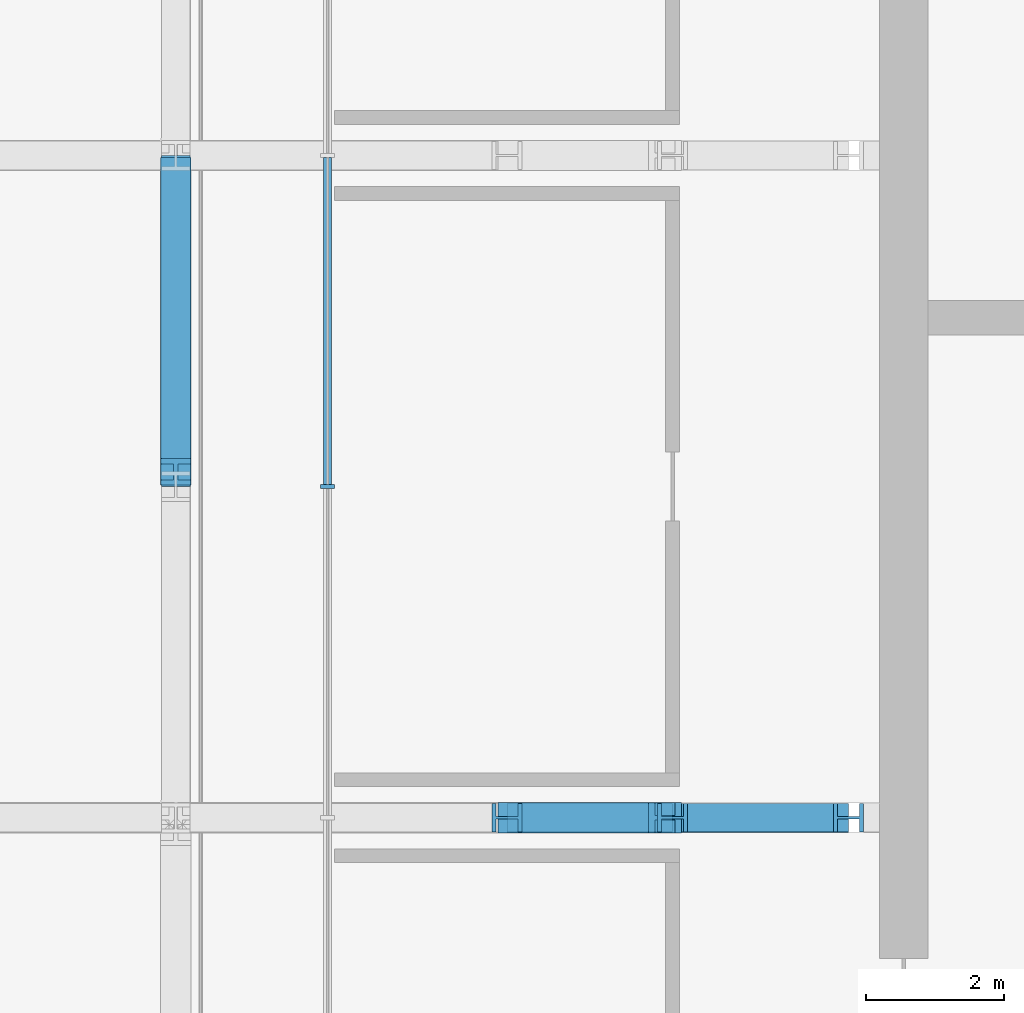
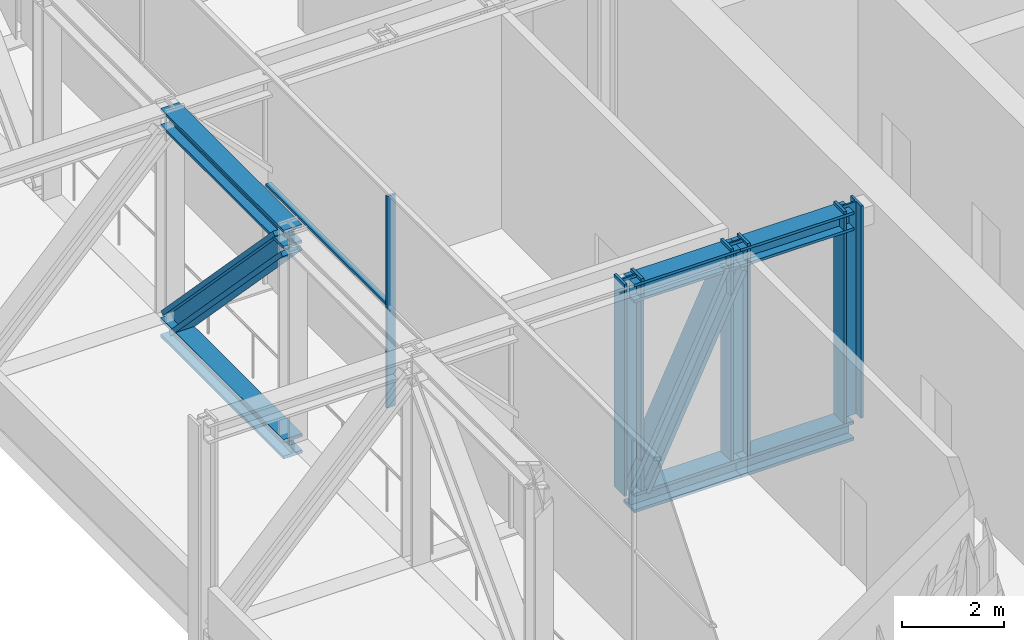
# One storey, part 5 of 30: 13 members, 1 element without a shape of its own.
"""IFC4 building model written with IfcOpenShell, lengths in metres."""

from ifc_helpers import new_model, si_unit, direction, frame, origin, origin_2d, place, context, subcontext, project, spatial, rectangle, i_section, extrude, material, layer, layer_set, material_profile, profile_set, type_object, element, aggregate, save


model = new_model("IFC4")

# Units and contexts
model_context = context("Model", 3, precision=1e-05, world=origin(), true_north=direction((0.0, 1.0)))
body_context = subcontext(model_context, "Body", "Model", "MODEL_VIEW")
ifc_project = project(units=[si_unit("LENGTHUNIT", "METRE"), si_unit("AREAUNIT", "SQUARE_METRE"), si_unit("VOLUMEUNIT", "CUBIC_METRE"), si_unit("PLANEANGLEUNIT", "RADIAN"), si_unit("MASSUNIT", "GRAM", prefix="KILO")], contexts=[model_context])

# Site, building, storey
site_placement = place(None, origin())
site = spatial("IfcSite", under=ifc_project, at=site_placement, CompositionType="ELEMENT")
building_placement = place(site_placement, origin())
building = spatial("IfcBuilding", under=site, at=building_placement, Name="Madar Terraces", CompositionType="ELEMENT")
storey_placement = place(building_placement, frame((0.0, 0.0, 173.5)))
storey = spatial("IfcBuildingStorey", under=building, at=storey_placement, Name="L45", CompositionType="ELEMENT", Elevation=173.5)

# Members
ifc_material_1 = material(Name="Steel ASTM A913 Grade 65", Category="steel")
ifc_material_profile_1 = material_profile(ifc_material_1, i_section(OverallWidth=0.421630859375, OverallDepth=0.46484375, WebThickness=0.044921875, FlangeThickness=0.072509765625, at=origin_2d()), Name="W14x398")
ifc_profile_set_1 = profile_set([ifc_material_profile_1], Name="Steel ASTM A913 Grade 65")
member_type_1 = type_object("IfcMemberType", Name="BC6 W14x398", PredefinedType="CHORD", material=ifc_profile_set_1)
member_1_placement = place(storey_placement, frame((4.800048828125, 33.60009765625, -0.1875), z_axis=(0.0, -1.0, 0.0), x_axis=(1.0, 0.0, 0.0)))
element("IfcMember", 1, at=member_1_placement, inside=storey, type_object=member_type_1, Name="Exoskeleton truss ring bottom chord BC6", PredefinedType="CHORD", context=body_context, shape_type="SweptSolid", body=[
    extrude(i_section(OverallWidth=0.421630859375, OverallDepth=0.46484375, WebThickness=0.044921875, FlangeThickness=0.072509765625, at=origin_2d()), origin(), (0.0, 0.0, 1.0), 4.800048828125),
])
member_2_placement = place(storey_placement, frame((9.60009765625, 24.0, -0.1875), z_axis=(1.0, 0.0, 0.0), x_axis=(0.0, 1.0, 0.0)))
element("IfcMember", 2, at=member_2_placement, inside=storey, type_object=member_type_1, Name="Exoskeleton truss cross W24 bottom chord BC6", PredefinedType="CHORD", context=body_context, shape_type="SweptSolid", body=[
    extrude(i_section(OverallWidth=0.421630859375, OverallDepth=0.46484375, WebThickness=0.044921875, FlangeThickness=0.072509765625, at=origin_2d()), origin(), (0.0, 0.0, 1.0), 2.39990234375),
])
member_3_placement = place(storey_placement, frame((12.0, 24.0, -0.1875), z_axis=(1.0, 0.0, 0.0), x_axis=(0.0, 1.0, 0.0)))
element("IfcMember", 3, at=member_3_placement, inside=storey, type_object=member_type_1, Name="Exoskeleton truss cross W24 bottom chord BC6", PredefinedType="CHORD", context=body_context, shape_type="SweptSolid", body=[
    extrude(i_section(OverallWidth=0.421630859375, OverallDepth=0.46484375, WebThickness=0.044921875, FlangeThickness=0.072509765625, at=origin_2d()), origin(), (0.0, 0.0, 1.0), 2.550048828125),
])

# Curtain wall, members
ifc_material_2 = material(Name="Glass, ceramic frit dark grey, with black aluminium frame", Category="aluminium")
ifc_layer = layer(ifc_material_2, 0.199951171875)
ifc_layer_set = layer_set([ifc_layer], Name="Facade curtain wall, tall glazing")
curtain_wall_type = type_object("IfcCurtainWallType", Name="Facade curtain wall, tall glazing", PredefinedType="NOTDEFINED", material=ifc_layer_set)
curtain_wall_placement = place(storey_placement, origin())
curtain_wall = element("IfcCurtainWall", 4, at=curtain_wall_placement, inside=storey, type_object=curtain_wall_type, Name="Outer skin curtain wall west bay 1", PredefinedType="NOTDEFINED")
ifc_material_3 = material(Name="Aluminium, black anodised", Category="aluminium")
ifc_material_profile_2 = material_profile(ifc_material_3, rectangle(XDim=0.199951171875, YDim=0.06005859375, at=origin_2d()), Name="Facade mullion 60x200")
ifc_profile_set_2 = profile_set([ifc_material_profile_2], Name="Aluminium, black anodised")
member_type_2 = type_object("IfcMemberType", Name="Facade mullion 60x200", PredefinedType="MULLION", material=ifc_profile_set_2)
member_4_placement = place(storey_placement, frame((7.0, 28.800048828125, 0.0), z_axis=(0.0, 0.0, 1.0), x_axis=(1.0, 0.0, 0.0)))
member_4 = element("IfcMember", 5, at=member_4_placement, type_object=member_type_2, Name="Mullion 3", PredefinedType="MULLION", context=body_context, shape_type="SweptSolid", body=[
    extrude(rectangle(XDim=0.199951171875, YDim=0.06005859375, at=origin_2d()), origin(), (0.0, 0.0, 1.0), 5.0400390625),
])
ifc_material_4 = material(Name="Aluminium, black anodised", Category="aluminium")
ifc_material_profile_3 = material_profile(ifc_material_4, rectangle(XDim=0.1201171875, YDim=0.06005859375, at=origin_2d()), Name="Facade transom 60x120")
ifc_profile_set_3 = profile_set([ifc_material_profile_3], Name="Aluminium, black anodised")
member_type_3 = type_object("IfcMemberType", Name="Facade transom 60x120", PredefinedType="USERDEFINED", material=ifc_profile_set_3)
member_5_placement = place(storey_placement, frame((7.0, 33.570068359375, 2.39990234375), z_axis=(0.0, -1.0, 0.0), x_axis=(1.0, 0.0, 0.0)))
member_5 = element("IfcMember", 6, at=member_5_placement, type_object=member_type_3, Name="Transom 4", ObjectType="TRANSOM", PredefinedType="USERDEFINED", context=body_context, shape_type="SweptSolid", body=[
    extrude(rectangle(XDim=0.1201171875, YDim=0.06005859375, at=origin_2d()), origin(), (0.0, 0.0, 1.0), 4.739990234375),
])
aggregate(curtain_wall, [member_4, member_5])

# Members
ifc_material_5 = material(Name="Steel ASTM A913 Grade 65", Category="steel")
ifc_material_profile_4 = material_profile(ifc_material_5, i_section(OverallWidth=0.41650390625, OverallDepth=0.444580078125, WebThickness=0.0390625, FlangeThickness=0.062744140625, at=origin_2d()), Name="W14x342")
ifc_profile_set_4 = profile_set([ifc_material_profile_4], Name="Steel ASTM A913 Grade 65")
member_type_4 = type_object("IfcMemberType", Name="TC6 W14x342", PredefinedType="CHORD", material=ifc_profile_set_4)
member_6_placement = place(storey_placement, frame((4.800048828125, 33.60009765625, 4.807861328125), z_axis=(0.0, -1.0, 0.0), x_axis=(1.0, 0.0, 0.0)))
element("IfcMember", 7, at=member_6_placement, inside=storey, type_object=member_type_4, Name="Exoskeleton truss ring top chord TC6", PredefinedType="CHORD", context=body_context, shape_type="SweptSolid", body=[
    extrude(i_section(OverallWidth=0.41650390625, OverallDepth=0.444580078125, WebThickness=0.0390625, FlangeThickness=0.062744140625, at=origin_2d()), origin(), (0.0, 0.0, 1.0), 4.800048828125),
])
member_7_placement = place(storey_placement, frame((9.60009765625, 24.0, 4.807861328125), z_axis=(1.0, 0.0, 0.0), x_axis=(0.0, 1.0, 0.0)))
element("IfcMember", 8, at=member_7_placement, inside=storey, type_object=member_type_4, Name="Exoskeleton truss cross W24 top chord TC6", PredefinedType="CHORD", context=body_context, shape_type="SweptSolid", body=[
    extrude(i_section(OverallWidth=0.41650390625, OverallDepth=0.444580078125, WebThickness=0.0390625, FlangeThickness=0.062744140625, at=origin_2d()), origin(), (0.0, 0.0, 1.0), 2.39990234375),
])
member_8_placement = place(storey_placement, frame((12.0, 24.0, 4.807861328125), z_axis=(1.0, 0.0, 0.0), x_axis=(0.0, 1.0, 0.0)))
element("IfcMember", 9, at=member_8_placement, inside=storey, type_object=member_type_4, Name="Exoskeleton truss cross W24 top chord TC6", PredefinedType="CHORD", context=body_context, shape_type="SweptSolid", body=[
    extrude(i_section(OverallWidth=0.41650390625, OverallDepth=0.444580078125, WebThickness=0.0390625, FlangeThickness=0.062744140625, at=origin_2d()), origin(), (0.0, 0.0, 1.0), 2.550048828125),
])
ifc_material_6 = material(Name="Steel ASTM A913 Grade 65", Category="steel")
ifc_material_profile_5 = material_profile(ifc_material_6, i_section(OverallWidth=0.44189453125, OverallDepth=0.53076171875, WebThickness=0.06591796875, FlangeThickness=0.105712890625, at=origin_2d()), Name="W14x605")
ifc_profile_set_5 = profile_set([ifc_material_profile_5], Name="Steel ASTM A913 Grade 65")
member_type_5 = type_object("IfcMemberType", Name="TD6 W14x605", PredefinedType="BRACE", material=ifc_profile_set_5)
member_9_placement = place(storey_placement, frame((4.800048828125, 33.376708984375, 0.044921875), z_axis=(0.0, -0.692873133915, 0.721059512314), x_axis=(1.0, 0.0, 0.0)))
element("IfcMember", 10, at=member_9_placement, inside=storey, type_object=member_type_5, Name="Exoskeleton truss ring diagonal TD6", PredefinedType="BRACE", context=body_context, shape_type="SweptSolid", body=[
    extrude(i_section(OverallWidth=0.44189453125, OverallDepth=0.53076171875, WebThickness=0.06591796875, FlangeThickness=0.105712890625, at=origin_2d()), origin(), (0.0, 0.0, 1.0), 6.297119140625),
])
member_10_placement = place(storey_placement, frame((9.711669921875, 24.0, 0.044921875), z_axis=(0.433083966096, 0.0, 0.901353581183), x_axis=(0.0, 1.0, 0.0)))
element("IfcMember", 11, at=member_10_placement, inside=storey, type_object=member_type_5, Name="Exoskeleton truss cross W24 diagonal TD6", PredefinedType="BRACE", context=body_context, shape_type="SweptSolid", body=[
    extrude(i_section(OverallWidth=0.44189453125, OverallDepth=0.53076171875, WebThickness=0.06591796875, FlangeThickness=0.105712890625, at=origin_2d()), origin(), (0.0, 0.0, 1.0), 5.037353515625),
])
ifc_material_7 = material(Name="Steel ASTM A913 Grade 65", Category="steel")
ifc_material_profile_6 = material_profile(ifc_material_7, i_section(OverallWidth=0.411376953125, OverallDepth=0.434326171875, WebThickness=0.035888671875, FlangeThickness=0.057373046875, at=origin_2d()), Name="W14x311")
ifc_profile_set_6 = profile_set([ifc_material_profile_6], Name="Steel ASTM A913 Grade 65")
member_type_6 = type_object("IfcMemberType", Name="TV6 W14x311", PredefinedType="POST", material=ifc_profile_set_6)
for number, where, z_axis, x_axis, name in (
    (12, (9.60009765625, 24.0, 0.044921875), (0.0, 0.0, 1.0), (0.0, 1.0, 0.0), "Exoskeleton truss cross W24 post TV6"),
    (13, (12.0, 24.0, 0.044921875), (0.0, 0.0, 1.0), (0.0, 1.0, 0.0), "Exoskeleton truss cross W24 post TV6"),
    (14, (14.550048828125, 24.0, 0.044921875), (0.0, 0.0, 1.0), (0.0, 1.0, 0.0), "Exoskeleton truss cross W24 post TV6"),
):
    element("IfcMember", number, at=place(storey_placement, frame(where, z_axis=z_axis, x_axis=x_axis)), inside=storey, type_object=member_type_6, Name=name, PredefinedType="POST", context=body_context, shape_type="SweptSolid", body=[
        extrude(i_section(OverallWidth=0.411376953125, OverallDepth=0.434326171875, WebThickness=0.035888671875, FlangeThickness=0.057373046875, at=origin_2d()), origin(), (0.0, 0.0, 1.0), 5.05517578125),
    ])

save(model, "model.ifc")
